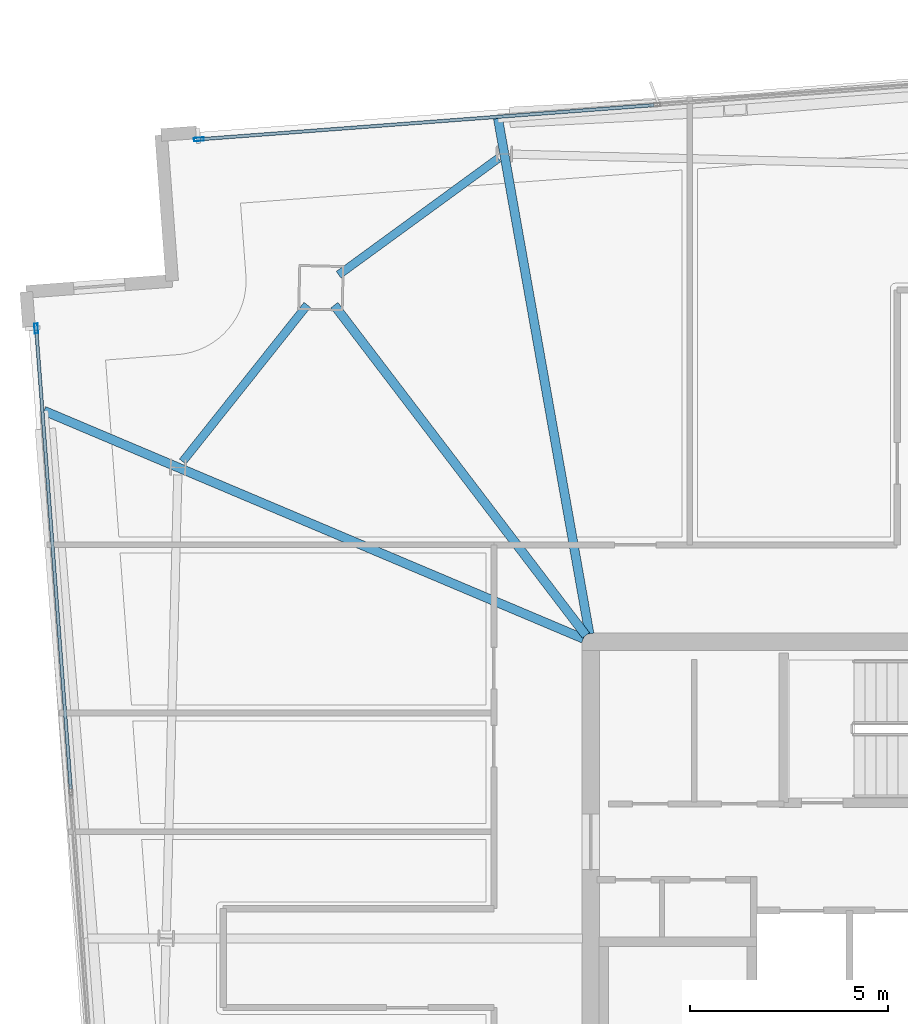
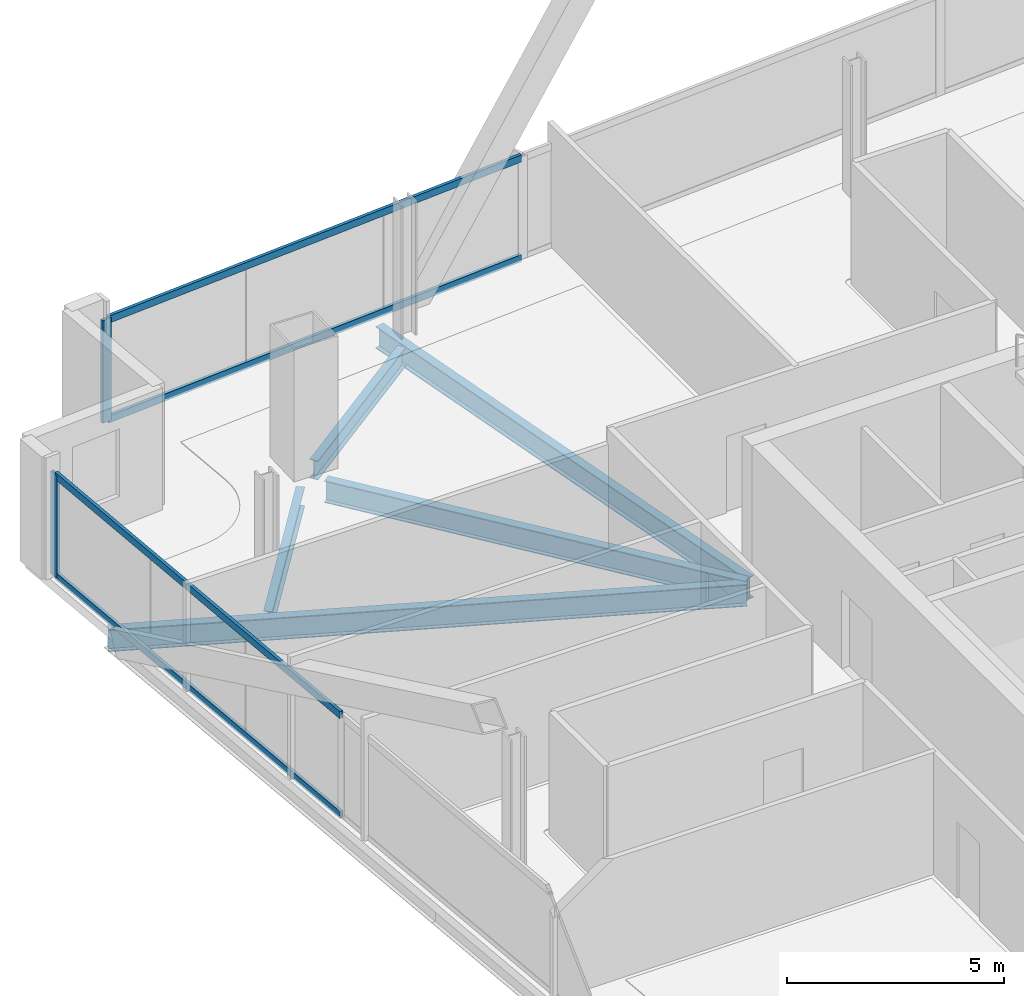
# One storey, part 11 of 23: 6 members, 5 beams, 2 elements without a shape of their own.
"""IFC4 building model written with IfcOpenShell, lengths in metres."""

from ifc_helpers import new_model, si_unit, direction, frame, origin, origin_2d, place, context, subcontext, project, spatial, hollow_rectangle, i_section, extrude, material, material_profile, profile_set, type_object, element, aggregate, save


model = new_model("IFC4")

# Units and contexts
model_context = context("Model", 3, precision=1e-05, world=origin(), true_north=direction((0.0, 1.0)))
body_context = subcontext(model_context, "Body", "Model", "MODEL_VIEW")
ifc_project = project(units=[si_unit("LENGTHUNIT", "METRE"), si_unit("AREAUNIT", "SQUARE_METRE"), si_unit("VOLUMEUNIT", "CUBIC_METRE"), si_unit("PLANEANGLEUNIT", "RADIAN"), si_unit("MASSUNIT", "GRAM", prefix="KILO")], contexts=[model_context])

# Site, building, storey
site_placement = place(None, origin())
site = spatial("IfcSite", under=ifc_project, at=site_placement, CompositionType="ELEMENT")
building_placement = place(site_placement, origin())
building = spatial("IfcBuilding", under=site, at=building_placement, Name="Haldenkirk Collegiate Tower", CompositionType="ELEMENT")
storey_placement = place(building_placement, frame((0.0, 0.0, 343.949951171875)))
storey = spatial("IfcBuildingStorey", under=building, at=storey_placement, Name="L87", CompositionType="ELEMENT", Elevation=343.949951171875)

# Beams
ifc_material_1 = material(Name="Steel ASTM A992 Grade 50", Category="steel")
ifc_material_profile_1 = material_profile(ifc_material_1, i_section(OverallWidth=0.22998046875, OverallDepth=0.616943359375, WebThickness=0.01318359375, FlangeThickness=0.022216796875, at=origin_2d()), Name="W24X94")
ifc_profile_set_1 = profile_set([ifc_material_profile_1], Name="Steel ASTM A992 Grade 50")
beam_type_1 = type_object("IfcBeamType", Name="BM-GIRDER-W24X94", PredefinedType="BEAM", material=ifc_profile_set_1)
beam_1_placement = place(storey_placement, frame((20.510498046875, 42.514404296875, -0.568359375), z_axis=(0.606183308444, -0.79532496287, 0.0), x_axis=(0.79532496287, 0.606183308444, 0.0)))
element("IfcBeam", 1, at=beam_1_placement, inside=storey, type_object=beam_type_1, Name="L87 primary floor girder 03", PredefinedType="BEAM", context=body_context, shape_type="SweptSolid", body=[
    extrude(i_section(OverallWidth=0.22998046875, OverallDepth=0.616943359375, WebThickness=0.01318359375, FlangeThickness=0.022216796875, at=origin_2d()), origin(), (0.0, 0.0, 1.0), 10.50048828125),
])
beam_2_placement = place(storey_placement, frame((24.651611328125, 47.239013671875, -0.568359375), z_axis=(0.174652012454, -0.984630222239, 0.0), x_axis=(0.984630222239, 0.174652012454, 0.0)))
element("IfcBeam", 2, at=beam_2_placement, inside=storey, type_object=beam_type_1, Name="L87 primary floor girder 10", PredefinedType="BEAM", context=body_context, shape_type="SweptSolid", body=[
    extrude(i_section(OverallWidth=0.22998046875, OverallDepth=0.616943359375, WebThickness=0.01318359375, FlangeThickness=0.022216796875, at=origin_2d()), origin(), (0.0, 0.0, 1.0), 13.24072265625),
])
beam_3_placement = place(storey_placement, frame((13.167724609375, 39.84423828125, -0.568359375), z_axis=(0.921157785612, -0.389189329255, 0.0), x_axis=(0.389189329255, 0.921157785612, 0.0)))
element("IfcBeam", 3, at=beam_3_placement, inside=storey, type_object=beam_type_1, Name="L87 primary floor girder 11", PredefinedType="BEAM", context=body_context, shape_type="SweptSolid", body=[
    extrude(i_section(OverallWidth=0.22998046875, OverallDepth=0.616943359375, WebThickness=0.01318359375, FlangeThickness=0.022216796875, at=origin_2d()), origin(), (0.0, 0.0, 1.0), 14.811279296875),
])
ifc_material_profile_2 = material_profile(ifc_material_1, i_section(OverallWidth=0.2099609375, OverallDepth=0.537109375, WebThickness=0.010986328125, FlangeThickness=0.017333984375, at=origin_2d()), Name="W21X68")
ifc_profile_set_2 = profile_set([ifc_material_profile_2], Name="Steel ASTM A992 Grade 50")
beam_type_2 = type_object("IfcBeamType", Name="BM-SPANDREL-W21X68", PredefinedType="SPANDREL", material=ifc_profile_set_2)
beam_4_placement = place(storey_placement, frame((24.6591796875, 46.228759765625, -0.528564453125), z_axis=(-0.807792834001, -0.589466485338, 0.0), x_axis=(0.589466485338, -0.807792834001, 0.0)))
element("IfcBeam", 4, at=beam_4_placement, inside=storey, type_object=beam_type_2, Name="L87 perimeter spandrel beam 08", PredefinedType="SPANDREL", context=body_context, shape_type="SweptSolid", body=[
    extrude(i_section(OverallWidth=0.2099609375, OverallDepth=0.537109375, WebThickness=0.010986328125, FlangeThickness=0.017333984375, at=origin_2d()), origin(), (0.0, 0.0, 1.0), 4.997314453125),
])
beam_5_placement = place(storey_placement, frame((19.828369140625, 42.521484375, -0.528564453125), z_axis=(-0.622694005585, -0.782465446783, 0.0), x_axis=(0.782465446783, -0.622694005585, 0.0)))
element("IfcBeam", 5, at=beam_5_placement, inside=storey, type_object=beam_type_2, Name="L87 perimeter spandrel beam 09", PredefinedType="SPANDREL", context=body_context, shape_type="SweptSolid", body=[
    extrude(i_section(OverallWidth=0.2099609375, OverallDepth=0.537109375, WebThickness=0.010986328125, FlangeThickness=0.017333984375, at=origin_2d()), origin(), (0.0, 0.0, 1.0), 5.06396484375),
])

# Curtain wall, member
ifc_material_2 = material(Name="Anodised architectural bronze aluminium", Category="aluminium")
curtain_wall_type = type_object("IfcCurtainWallType", Name="CW-SYS1B-CONVEX-HI", PredefinedType="USERDEFINED", material=ifc_material_2)
curtain_wall_1_placement = place(storey_placement, origin())
curtain_wall_1 = element("IfcCurtainWall", 6, at=curtain_wall_1_placement, inside=storey, type_object=curtain_wall_type, Name="L87 Upper tower high-wind convex bronze unitised curtain wall", ObjectType="UNITISED CURTAIN WALL", PredefinedType="USERDEFINED")
ifc_material_profile_3 = material_profile(ifc_material_2, hollow_rectangle(XDim=0.0849609375, YDim=0.25, WallThickness=0.0048828125, at=origin_2d()), Name="CW-MUL-1B")
ifc_profile_set_3 = profile_set([ifc_material_profile_3], Name="Anodised architectural bronze aluminium")
member_type_1 = type_object("IfcMemberType", Name="CW-MUL-1B", PredefinedType="MULLION", material=ifc_profile_set_3)
member_1_placement = place(storey_placement, frame((17.08642578125, 46.710205078125, 0.0), z_axis=(0.0, 0.0, 1.0), x_axis=(-0.074979276345, 0.997185092206, 0.0)))
member_1 = element("IfcMember", 7, at=member_1_placement, type_object=member_type_1, Name="CW-1B mullion 1", PredefinedType="MULLION", context=body_context, shape_type="SweptSolid", body=[
    extrude(hollow_rectangle(XDim=0.0849609375, YDim=0.25, WallThickness=0.0048828125, at=origin_2d()), origin(), (0.0, 0.0, 1.0), 2.887939453125),
])

curtain_wall_2_placement = place(storey_placement, origin())
curtain_wall_2 = element("IfcCurtainWall", 8, at=curtain_wall_2_placement, inside=storey, type_object=curtain_wall_type, Name="L87 Upper tower high-wind convex bronze unitised curtain wall", ObjectType="UNITISED CURTAIN WALL", PredefinedType="USERDEFINED")
member_2_placement = place(storey_placement, frame((12.97119140625, 41.925537109375, 0.0), z_axis=(0.0, 0.0, 1.0), x_axis=(-0.997185231822, -0.074977419512, 0.0)))
member_2 = element("IfcMember", 9, at=member_2_placement, type_object=member_type_1, Name="CW-1B mullion 4", PredefinedType="MULLION", context=body_context, shape_type="SweptSolid", body=[
    extrude(hollow_rectangle(XDim=0.0849609375, YDim=0.25, WallThickness=0.0048828125, at=origin_2d()), origin(), (0.0, 0.0, 1.0), 2.887939453125),
])

# Member
ifc_material_profile_4 = material_profile(ifc_material_2, hollow_rectangle(XDim=0.0849609375, YDim=0.199951171875, WallThickness=0.0048828125, at=origin_2d()), Name="CW-TRN-1B")
ifc_profile_set_4 = profile_set([ifc_material_profile_4], Name="Anodised architectural bronze aluminium")
member_type_2 = type_object("IfcMemberType", Name="CW-TRN-1B", PredefinedType="USERDEFINED", material=ifc_profile_set_4)
member_3_placement = place(storey_placement, frame((17.12890625, 46.71337890625, 0.04248046875), z_axis=(0.997185157859, 0.074978403194, 0.0), x_axis=(-0.074978403194, 0.997185157859, 0.0)))
member_3 = element("IfcMember", 10, at=member_3_placement, type_object=member_type_2, Name="CW-1B transom 1.1", ObjectType="TRANSOM", PredefinedType="USERDEFINED", context=body_context, shape_type="SweptSolid", body=[
    extrude(hollow_rectangle(XDim=0.0849609375, YDim=0.199951171875, WallThickness=0.0048828125, at=origin_2d()), origin(), (0.0, 0.0, 1.0), 11.49755859375),
])

member_4_placement = place(storey_placement, frame((17.12890625, 46.71337890625, 2.845458984375), z_axis=(0.997185157859, 0.074978403194, 0.0), x_axis=(-0.074978403194, 0.997185157859, 0.0)))
member_4 = element("IfcMember", 11, at=member_4_placement, type_object=member_type_2, Name="CW-1B transom 1.2", ObjectType="TRANSOM", PredefinedType="USERDEFINED", context=body_context, shape_type="SweptSolid", body=[
    extrude(hollow_rectangle(XDim=0.0849609375, YDim=0.199951171875, WallThickness=0.0048828125, at=origin_2d()), origin(), (0.0, 0.0, 1.0), 11.49755859375),
])

aggregate(curtain_wall_1, [member_1, member_3, member_4])

member_5_placement = place(storey_placement, frame((13.846923828125, 30.27685546875, 0.04248046875), z_axis=(-0.074967243435, 0.997185996899, 0.0), x_axis=(-0.997185996899, -0.074967243435, 0.0)))
member_5 = element("IfcMember", 12, at=member_5_placement, type_object=member_type_2, Name="CW-1B transom 3.1", ObjectType="TRANSOM", PredefinedType="USERDEFINED", context=body_context, shape_type="SweptSolid", body=[
    extrude(hollow_rectangle(XDim=0.0849609375, YDim=0.199951171875, WallThickness=0.0048828125, at=origin_2d()), origin(), (0.0, 0.0, 1.0), 11.63916015625),
])

member_6_placement = place(storey_placement, frame((13.846923828125, 30.27685546875, 2.845458984375), z_axis=(-0.074967243435, 0.997185996899, 0.0), x_axis=(-0.997185996899, -0.074967243435, 0.0)))
member_6 = element("IfcMember", 13, at=member_6_placement, type_object=member_type_2, Name="CW-1B transom 3.2", ObjectType="TRANSOM", PredefinedType="USERDEFINED", context=body_context, shape_type="SweptSolid", body=[
    extrude(hollow_rectangle(XDim=0.0849609375, YDim=0.199951171875, WallThickness=0.0048828125, at=origin_2d()), origin(), (0.0, 0.0, 1.0), 11.63916015625),
])

aggregate(curtain_wall_2, [member_2, member_5, member_6])

save(model, "model.ifc")
